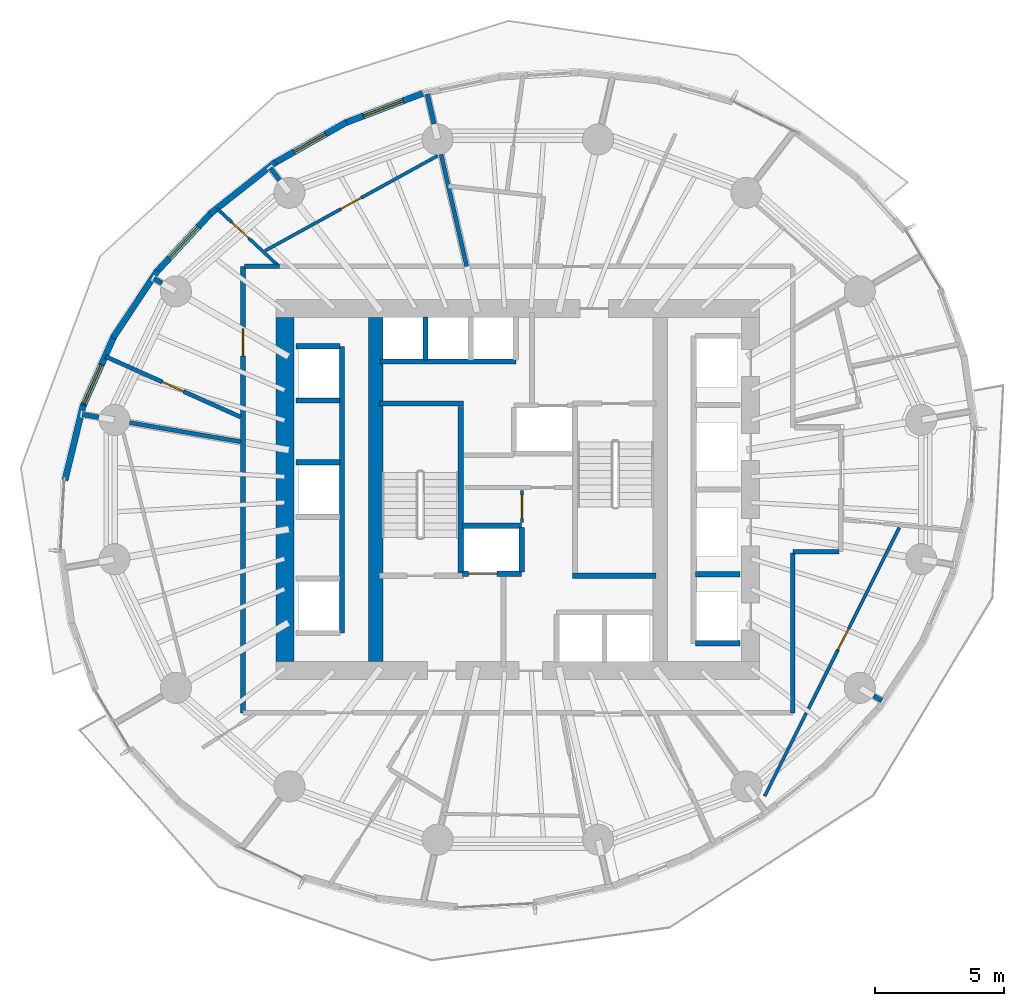
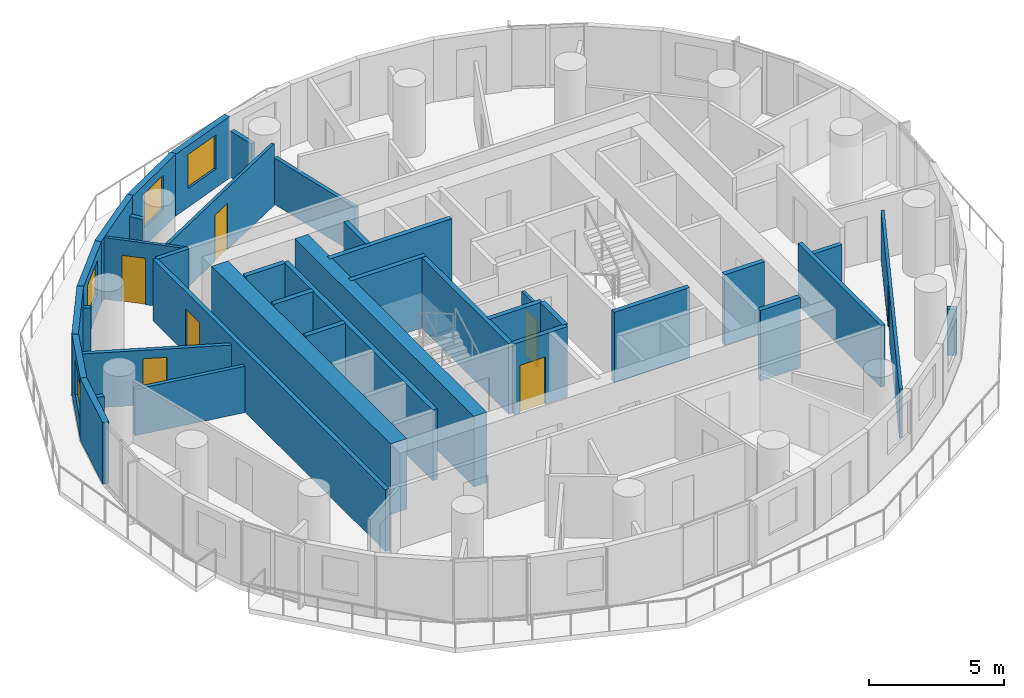
# One storey, part 8 of 15: 39 walls, 7 doors, 4 windows, 11 openings.
"""IFC4 building model written with IfcOpenShell, lengths in metres."""

from ifc_helpers import new_model, si_unit, direction, frame, frame_2d, origin, place, context, subcontext, project, spatial, rectangle, extrude, material, layer, layer_set, type_object, element, fill, save


model = new_model("IFC4")

# Units and contexts
model_context = context("Model", 3, precision=1e-05, world=origin(), true_north=direction((0.0, 1.0)))
body_context = subcontext(model_context, "Body", "Model", "MODEL_VIEW")
ifc_project = project(units=[si_unit("LENGTHUNIT", "METRE"), si_unit("AREAUNIT", "SQUARE_METRE"), si_unit("VOLUMEUNIT", "CUBIC_METRE"), si_unit("PLANEANGLEUNIT", "RADIAN"), si_unit("MASSUNIT", "GRAM", prefix="KILO")], contexts=[model_context])

# Site, building, storey
site_placement = place(None, origin())
site = spatial("IfcSite", under=ifc_project, at=site_placement, CompositionType="ELEMENT")
building_placement = place(site_placement, origin())
building = spatial("IfcBuilding", under=site, at=building_placement, Name="Veldorim Arch Residences", CompositionType="ELEMENT")
storey_placement = place(building_placement, frame((0.0, 0.0, 109.280029296875)))
storey = spatial("IfcBuildingStorey", under=building, at=storey_placement, Name="L32", CompositionType="ELEMENT", Elevation=109.280029296875)

# Wall, opening, door
ifc_material_1 = material(Name="Acoustic Gypsum Board", Category="gypsum")
ifc_layer_1 = layer(ifc_material_1, 0.125, Name="Acoustic Stud Room Partition Wall 125")
ifc_layer_set_1 = layer_set([ifc_layer_1], Name="Acoustic Gypsum Board")
wall_type_1 = type_object("IfcWallType", Name="Acoustic Stud Room Partition Wall 125", PredefinedType="PARTITIONING", material=ifc_layer_set_1)
wall_1_placement = place(storey_placement, frame((32.159912109375, 22.719970703125, 0.0), z_axis=(0.0, 0.0, 1.0), x_axis=(0.0, 1.0, 0.0)))
wall_1 = element("IfcWall", 1, at=wall_1_placement, inside=storey, type_object=wall_type_1, Name="L32 interior wall WL-CA-L32-2", PredefinedType="PARTITIONING", context=body_context, shape_type="SweptSolid", body=[
    extrude(rectangle(XDim=1.25, YDim=0.125, at=frame_2d((0.625, 0.0))), origin(), (0.0, 0.0, 1.0), 2.794921875),
])
opening_1_placement = place(wall_1_placement, frame((0.169921875, 0.0, 0.0)))
opening_1 = element("IfcOpeningElement", 2, at=opening_1_placement, cuts=wall_1, Name="Opening DR-SVC", PredefinedType="OPENING", context=body_context, shape_type="SweptSolid", body=[
    extrude(rectangle(XDim=0.89990234375, YDim=2.10009765625, at=frame_2d((0.449951171875, 1.050048828125))), frame((0.0, 0.072509765625, 0.0), z_axis=(0.0, -1.0, 0.0), x_axis=(1.0, 0.0, 0.0)), (0.0, 0.0, 1.0), 0.14501953125),
])
ifc_material_2 = material(Name="Fire-Rated Steel", Category="steel")
door_type_1 = type_object("IfcDoorType", Name="Riser, Shelter & Plant Room Rated Steel Door 900x2100", OperationType="SINGLE_SWING_LEFT", PredefinedType="DOOR", material=ifc_material_2)
door_1_placement = place(opening_1_placement, origin())
door_1 = element("IfcDoor", 3, at=door_1_placement, inside=storey, type_object=door_type_1, Name="L32 interior door DR-L32-CA2", OperationType="SINGLE_SWING_RIGHT", OverallHeight=2.10009765625, OverallWidth=0.89990234375, PredefinedType="DOOR", context=body_context, shape_type="SweptSolid", body=[
    extrude(rectangle(XDim=0.89990234375, YDim=2.10009765625, at=frame_2d((0.449951171875, 1.050048828125))), frame((0.0, 0.02490234375, 0.0), z_axis=(0.0, -1.0, 0.0), x_axis=(1.0, 0.0, 0.0)), (0.0, 0.0, 1.0), 0.050048828125),
])
fill(opening_1, door_1)

wall_2_placement = place(storey_placement, frame((46.745849609375, 22.527587890625, 0.0), z_axis=(0.0, 0.0, 1.0), x_axis=(-0.448357094434, -0.893854527242, 0.0)))
wall_2 = element("IfcWall", 4, at=wall_2_placement, inside=storey, type_object=wall_type_1, Name="L32 interior wall WL-RES-L32-021", PredefinedType="PARTITIONING", context=body_context, shape_type="SweptSolid", body=[
    extrude(rectangle(XDim=11.61083984375, YDim=0.125, at=frame_2d((5.805419921875, 0.0))), origin(), (0.0, 0.0, 1.0), 2.243408203125),
])
opening_2_placement = place(wall_2_placement, frame((4.37548828125, 0.0, 0.0)))
opening_2 = element("IfcOpeningElement", 5, at=opening_2_placement, cuts=wall_2, Name="Opening DR-INT", PredefinedType="OPENING", context=body_context, shape_type="SweptSolid", body=[
    extrude(rectangle(XDim=0.89990234375, YDim=2.10009765625, at=frame_2d((0.449951171875, 1.050048828125))), frame((0.0, 0.072509765625, 0.0), z_axis=(0.0, -1.0, 0.0), x_axis=(1.0, 0.0, 0.0)), (0.0, 0.0, 1.0), 0.14501953125),
])
ifc_material_3 = material(Name="Engineered Timber", Category="wood")
door_type_2 = type_object("IfcDoorType", Name="Apartment Internal Room Timber Door 900x2100", OperationType="SINGLE_SWING_LEFT", PredefinedType="DOOR", material=ifc_material_3)
door_2_placement = place(opening_2_placement, origin())
door_2 = element("IfcDoor", 6, at=door_2_placement, inside=storey, type_object=door_type_2, Name="L32 interior door DR-RES-L32-008", OperationType="SINGLE_SWING_RIGHT", OverallHeight=2.10009765625, OverallWidth=0.89990234375, PredefinedType="DOOR", context=body_context, shape_type="SweptSolid", body=[
    extrude(rectangle(XDim=0.89990234375, YDim=2.10009765625, at=frame_2d((0.449951171875, 1.050048828125))), frame((0.0, 0.02490234375, 0.0), z_axis=(0.0, -1.0, 0.0), x_axis=(1.0, 0.0, 0.0)), (0.0, 0.0, 1.0), 0.050048828125),
])
fill(opening_2, door_2)

wall_3_placement = place(storey_placement, frame((20.372802734375, 34.86328125, 0.0), z_axis=(0.0, 0.0, 1.0), x_axis=(0.730692833249, -0.682706366924, 0.0)))
wall_3 = element("IfcWall", 7, at=wall_3_placement, inside=storey, type_object=wall_type_1, Name="L32 interior wall WL-RES-L32-029", PredefinedType="PARTITIONING", context=body_context, shape_type="SweptSolid", body=[
    extrude(rectangle(XDim=3.271484375, YDim=0.125, at=frame_2d((1.6357421875, 0.0))), origin(), (0.0, 0.0, 1.0), 2.794921875),
])
opening_3_placement = place(wall_3_placement, frame((0.781494140625, 0.0, 0.0)))
opening_3 = element("IfcOpeningElement", 8, at=opening_3_placement, cuts=wall_3, Name="Opening DR-INT", PredefinedType="OPENING", context=body_context, shape_type="SweptSolid", body=[
    extrude(rectangle(XDim=0.89990234375, YDim=2.10009765625, at=frame_2d((0.449951171875, 1.050048828125))), frame((0.0, 0.072509765625, 0.0), z_axis=(0.0, -1.0, 0.0), x_axis=(1.0, 0.0, 0.0)), (0.0, 0.0, 1.0), 0.14501953125),
])
door_3_placement = place(opening_3_placement, origin())
door_3 = element("IfcDoor", 9, at=door_3_placement, inside=storey, type_object=door_type_2, Name="L32 interior door DR-RES-L32-017", OperationType="SINGLE_SWING_LEFT", OverallHeight=2.10009765625, OverallWidth=0.89990234375, PredefinedType="DOOR", context=body_context, shape_type="SweptSolid", body=[
    extrude(rectangle(XDim=0.89990234375, YDim=2.10009765625, at=frame_2d((0.449951171875, 1.050048828125))), frame((0.0, 0.02490234375, 0.0), z_axis=(0.0, -1.0, 0.0), x_axis=(1.0, 0.0, 0.0)), (0.0, 0.0, 1.0), 0.050048828125),
])
fill(opening_3, door_3)

wall_4_placement = place(storey_placement, frame((28.8935546875, 36.90673828125, 0.0), z_axis=(0.0, 0.0, 1.0), x_axis=(-0.875900786778, -0.482491255591, 0.0)))
wall_4 = element("IfcWall", 10, at=wall_4_placement, inside=storey, type_object=wall_type_1, Name="L32 interior wall WL-RES-L32-031", PredefinedType="PARTITIONING", context=body_context, shape_type="SweptSolid", body=[
    extrude(rectangle(XDim=7.61083984375, YDim=0.125, at=frame_2d((3.805419921875, 0.0))), origin(), (0.0, 0.0, 1.0), 2.794921875),
])
opening_4_placement = place(wall_4_placement, frame((3.355224609375, 0.0, 0.0)))
opening_4 = element("IfcOpeningElement", 11, at=opening_4_placement, cuts=wall_4, Name="Opening DR-INT", PredefinedType="OPENING", context=body_context, shape_type="SweptSolid", body=[
    extrude(rectangle(XDim=0.89990234375, YDim=2.10009765625, at=frame_2d((0.449951171875, 1.050048828125))), frame((0.0, 0.072509765625, 0.0), z_axis=(0.0, -1.0, 0.0), x_axis=(1.0, 0.0, 0.0)), (0.0, 0.0, 1.0), 0.14501953125),
])
door_4_placement = place(opening_4_placement, origin())
door_4 = element("IfcDoor", 12, at=door_4_placement, inside=storey, type_object=door_type_2, Name="L32 interior door DR-RES-L32-018", OperationType="SINGLE_SWING_RIGHT", OverallHeight=2.10009765625, OverallWidth=0.89990234375, PredefinedType="DOOR", context=body_context, shape_type="SweptSolid", body=[
    extrude(rectangle(XDim=0.89990234375, YDim=2.10009765625, at=frame_2d((0.449951171875, 1.050048828125))), frame((0.0, 0.02490234375, 0.0), z_axis=(0.0, -1.0, 0.0), x_axis=(1.0, 0.0, 0.0)), (0.0, 0.0, 1.0), 0.050048828125),
])
fill(opening_4, door_4)

# Walls
ifc_material_4 = material(Name="Lightweight Masonry Block & Gypsum", Category="masonry")
ifc_layer_2 = layer(ifc_material_4, 0.179931640625, Name="Compartment & Corridor Fire-Rated Party Wall 180")
ifc_layer_set_2 = layer_set([ifc_layer_2], Name="Lightweight Masonry Block & Gypsum")
wall_type_2 = type_object("IfcWallType", Name="Compartment & Corridor Fire-Rated Party Wall 180", PredefinedType="PARTITIONING", material=ifc_layer_set_2)
wall_5_placement = place(storey_placement, frame((28.759521484375, 38.13916015625, 0.0), z_axis=(0.0, 0.0, 1.0), x_axis=(-0.223327310752, 0.974743511018, 0.0)))
element("IfcWall", 13, at=wall_5_placement, inside=storey, type_object=wall_type_2, Name="L32 interior wall WL-PIER-L32-05", PredefinedType="PARTITIONING", context=body_context, shape_type="SweptSolid", body=[
    extrude(rectangle(XDim=1.187255859375, YDim=0.179931640625, at=frame_2d((0.59375, 0.0))), origin(), (0.0, 0.0, 1.0), 2.100341796875),
])
wall_6_placement = place(storey_placement, frame((22.7880859375, 35.965576171875, 0.0), z_axis=(0.0, 0.0, 1.0), x_axis=(-0.609790512648, 0.792562635181, 0.0)))
element("IfcWall", 14, at=wall_6_placement, inside=storey, type_object=wall_type_2, Name="L32 interior wall WL-PIER-L32-06", PredefinedType="PARTITIONING", context=body_context, shape_type="SweptSolid", body=[
    extrude(rectangle(XDim=0.591796875, YDim=0.179931640625, at=frame_2d((0.2958984375, 0.0))), origin(), (0.0, 0.0, 1.0), 2.100341796875),
])
wall_7_placement = place(storey_placement, frame((18.243408203125, 31.977783203125, 0.0), z_axis=(0.0, 0.0, 1.0), x_axis=(-0.864891917132, 0.501958137377, 0.0)))
element("IfcWall", 15, at=wall_7_placement, inside=storey, type_object=wall_type_2, Name="L32 interior wall WL-PIER-L32-07", PredefinedType="PARTITIONING", context=body_context, shape_type="SweptSolid", body=[
    extrude(rectangle(XDim=0.365234375, YDim=0.179931640625, at=frame_2d((0.1826171875, 0.0))), origin(), (0.0, 0.0, 1.0), 2.100341796875),
])
wall_8_placement = place(storey_placement, frame((15.79443359375, 26.797607421875, 0.0), z_axis=(0.0, 0.0, 1.0), x_axis=(-0.985389793052, 0.170314285219, 0.0)))
element("IfcWall", 16, at=wall_8_placement, inside=storey, type_object=wall_type_2, Name="L32 interior wall WL-PIER-L32-08", PredefinedType="PARTITIONING", context=body_context, shape_type="SweptSolid", body=[
    extrude(rectangle(XDim=0.64208984375, YDim=0.179931640625, at=frame_2d((0.321044921875, 0.0))), origin(), (0.0, 0.0, 1.0), 2.100341796875),
])
wall_9_placement = place(storey_placement, frame((45.756591796875, 16.022216796875, 0.0), z_axis=(0.0, 0.0, 1.0), x_axis=(0.864891917132, -0.501958137377, 0.0)))
element("IfcWall", 17, at=wall_9_placement, inside=storey, type_object=wall_type_2, Name="L32 interior wall WL-PIER-L32-15", PredefinedType="PARTITIONING", context=body_context, shape_type="SweptSolid", body=[
    extrude(rectangle(XDim=0.365234375, YDim=0.179931640625, at=frame_2d((0.1826171875, 0.0))), origin(), (0.0, 0.0, 1.0), 2.100341796875),
])
wall_10_placement = place(storey_placement, frame((44.419921875, 21.60009765625, 0.0), z_axis=(0.0, 0.0, 1.0), x_axis=(-1.0, 0.0, 0.0)))
element("IfcWall", 18, at=wall_10_placement, inside=storey, type_object=wall_type_2, Name="L32 interior wall WL-RES-L32-005", PredefinedType="PARTITIONING", context=body_context, shape_type="SweptSolid", body=[
    extrude(rectangle(XDim=1.7900390625, YDim=0.179931640625, at=frame_2d((0.89501953125, 0.0))), origin(), (0.0, 0.0, 1.0), 2.100341796875),
])
wall_11_placement = place(storey_placement, frame((42.6298828125, 21.5400390625, 0.0), z_axis=(0.0, 0.0, 1.0), x_axis=(0.0, -1.0, 0.0)))
element("IfcWall", 19, at=wall_11_placement, inside=storey, type_object=wall_type_2, Name="L32 interior wall WL-RES-L32-006", PredefinedType="PARTITIONING", context=body_context, shape_type="SweptSolid", body=[
    extrude(rectangle(XDim=6.169921875, YDim=0.179931640625, at=frame_2d((3.0849609375, 0.0))), origin(), (0.0, 0.0, 1.0), 2.794921875),
])

# Wall, opening, door
wall_12_placement = place(storey_placement, frame((21.3701171875, 15.3701171875, 0.0), z_axis=(0.0, 0.0, 1.0), x_axis=(0.0, 1.0, 0.0)))
wall_12 = element("IfcWall", 20, at=wall_12_placement, inside=storey, type_object=wall_type_2, Name="L32 interior wall WL-RES-L32-008", PredefinedType="PARTITIONING", context=body_context, shape_type="SweptSolid", body=[
    extrude(rectangle(XDim=17.259765625, YDim=0.179931640625, at=frame_2d((8.6298828125, 0.0))), origin(), (0.0, 0.0, 1.0), 2.794921875),
])
opening_5_placement = place(wall_12_placement, frame((13.794189453125, 0.0, 0.0)))
opening_5 = element("IfcOpeningElement", 21, at=opening_5_placement, cuts=wall_12, Name="Opening DR-FLT2", PredefinedType="OPENING", context=body_context, shape_type="SweptSolid", body=[
    extrude(rectangle(XDim=1.050048828125, YDim=2.0, at=frame_2d((0.52490234375, 1.0))), frame((0.0, 0.099853515625, 0.0), z_axis=(0.0, -1.0, 0.0), x_axis=(1.0, 0.0, 0.0)), (0.0, 0.0, 1.0), 0.199951171875),
])
ifc_material_5 = material(Name="Fire-Rated Timber", Category="wood")
door_type_3 = type_object("IfcDoorType", Name="Apartment Entrance Low-Soffit Fire Door 1050x2000", OperationType="SINGLE_SWING_LEFT", PredefinedType="DOOR", material=ifc_material_5)
door_5_placement = place(opening_5_placement, origin())
door_5 = element("IfcDoor", 22, at=door_5_placement, inside=storey, type_object=door_type_3, Name="L32 interior door DR-RES-L32-015", OperationType="SINGLE_SWING_LEFT", OverallHeight=2.0, OverallWidth=1.050048828125, PredefinedType="DOOR", context=body_context, shape_type="SweptSolid", body=[
    extrude(rectangle(XDim=1.050048828125, YDim=2.0, at=frame_2d((0.52490234375, 1.0))), frame((0.0, 0.02490234375, 0.0), z_axis=(0.0, -1.0, 0.0), x_axis=(1.0, 0.0, 0.0)), (0.0, 0.0, 1.0), 0.050048828125),
])
fill(opening_5, door_5)

# Walls
wall_13_placement = place(storey_placement, frame((21.429931640625, 32.6298828125, 0.0), z_axis=(0.0, 0.0, 1.0), x_axis=(1.0, 0.0, 0.0)))
element("IfcWall", 23, at=wall_13_placement, inside=storey, type_object=wall_type_2, Name="L32 interior wall WL-RES-L32-009", PredefinedType="PARTITIONING", context=body_context, shape_type="SweptSolid", body=[
    extrude(rectangle(XDim=1.353271484375, YDim=0.179931640625, at=frame_2d((0.6767578125, 0.0))), origin(), (0.0, 0.0, 1.0), 2.794921875),
])
ifc_material_6 = material(Name="Concrete C50/60", Category="concrete")
ifc_layer_3 = layer(ifc_material_6, 0.199951171875, Name="Core Stair & Lift Shaft Enclosure Wall 200")
ifc_layer_set_3 = layer_set([ifc_layer_3], Name="Concrete C50/60")
wall_type_3 = type_object("IfcWallType", Name="Core Stair & Lift Shaft Enclosure Wall 200", PredefinedType="SHEAR", material=ifc_layer_set_3)
wall_14_placement = place(storey_placement, frame((29.7900390625, 20.780029296875, 0.0), z_axis=(0.0, 0.0, 1.0), x_axis=(0.0, 1.0, 0.0)))
element("IfcWall", 24, at=wall_14_placement, inside=storey, type_object=wall_type_3, Name="L32 shaft wall WL-SHF-L32-ST1-E", PredefinedType="SHEAR", context=body_context, shape_type="SweptSolid", body=[
    extrude(rectangle(XDim=6.43994140625, YDim=0.199951171875, at=frame_2d((3.219970703125, 0.0))), origin(), (0.0, 0.0, 1.0), 3.199951171875),
])
for number, where, z_axis, x_axis, name in (
    (25, (26.64990234375, 27.330078125, 0.0), (0.0, 0.0, 1.0), (1.0, 0.0, 0.0), "L32 shaft wall WL-SHF-L32-ST1-N"),
    (26, (34.110107421875, 20.669921875, 0.0), (0.0, 0.0, 1.0), (1.0, 0.0, 0.0), "L32 shaft wall WL-SHF-L32-ST2-S"),
):
    element("IfcWall", number, at=place(storey_placement, frame(where, z_axis=z_axis, x_axis=x_axis)), inside=storey, type_object=wall_type_3, Name=name, PredefinedType="SHEAR", context=body_context, shape_type="SweptSolid", body=[
        extrude(rectangle(XDim=3.239990234375, YDim=0.199951171875, at=frame_2d((1.6201171875, 0.0))), origin(), (0.0, 0.0, 1.0), 3.199951171875),
    ])

# Wall, opening, door
wall_15_placement = place(storey_placement, frame((29.85009765625, 20.75, 0.0), z_axis=(0.0, 0.0, 1.0), x_axis=(1.0, 0.0, 0.0)))
wall_15 = element("IfcWall", 27, at=wall_15_placement, inside=storey, type_object=wall_type_3, Name="L32 shaft wall WL-FL01-L32-S", PredefinedType="SHEAR", context=body_context, shape_type="SweptSolid", body=[
    extrude(rectangle(XDim=2.2998046875, YDim=0.199951171875, at=frame_2d((1.14990234375, 0.0))), origin(), (0.0, 0.0, 1.0), 3.199951171875),
])
opening_6_placement = place(wall_15_placement, frame((0.25, 0.0, 0.0)))
opening_6 = element("IfcOpeningElement", 28, at=opening_6_placement, cuts=wall_15, Name="Opening LD-FF", PredefinedType="OPENING", context=body_context, shape_type="SweptSolid", body=[
    extrude(rectangle(XDim=1.10009765625, YDim=2.14990234375, at=frame_2d((0.550048828125, 1.074951171875))), frame((0.0, 0.10986328125, 0.0), z_axis=(0.0, -1.0, 0.0), x_axis=(1.0, 0.0, 0.0)), (0.0, 0.0, 1.0), 0.219970703125),
])
ifc_material_7 = material(Name="Stainless Steel", Category="steel")
door_type_4 = type_object("IfcDoorType", Name="Firefighting Lift Bi-Parting Sliding Landing Door 1100x2150", OperationType="DOUBLE_DOOR_SLIDING", PredefinedType="DOOR", material=ifc_material_7)
door_6_placement = place(opening_6_placement, origin())
door_6 = element("IfcDoor", 29, at=door_6_placement, inside=storey, type_object=door_type_4, Name="L32 lift landing door LD-L32-FL01", OperationType="DOUBLE_DOOR_SLIDING", OverallHeight=2.14990234375, OverallWidth=1.10009765625, PredefinedType="DOOR", context=body_context, shape_type="SweptSolid", body=[
    extrude(rectangle(XDim=1.10009765625, YDim=2.14990234375, at=frame_2d((0.550048828125, 1.074951171875))), frame((0.0, 0.02490234375, 0.0), z_axis=(0.0, -1.0, 0.0), x_axis=(1.0, 0.0, 0.0)), (0.0, 0.0, 1.0), 0.050048828125),
])
fill(opening_6, door_6)

# Walls
wall_16_placement = place(storey_placement, frame((29.85009765625, 22.60009765625, 0.0), z_axis=(0.0, 0.0, 1.0), x_axis=(1.0, 0.0, 0.0)))
element("IfcWall", 30, at=wall_16_placement, inside=storey, type_object=wall_type_3, Name="L32 shaft wall WL-FL01-L32-N", PredefinedType="SHEAR", context=body_context, shape_type="SweptSolid", body=[
    extrude(rectangle(XDim=2.2998046875, YDim=0.199951171875, at=frame_2d((1.14990234375, 0.0))), origin(), (0.0, 0.0, 1.0), 3.199951171875),
])
for number, where, z_axis, x_axis, name in (
    (31, (32.14990234375, 20.820068359375, 0.0), (0.0, 0.0, 1.0), (0.0, 1.0, 0.0), "L32 shaft wall WL-FL01-L32-E"),
    (32, (38.8701171875, 18.06005859375, 0.0), (0.0, 0.0, 1.0), (1.0, 0.0, 0.0), "L32 shaft wall WL-B1-L32-S"),
    (33, (38.8701171875, 20.72509765625, 0.0), (0.0, 0.0, 1.0), (1.0, 0.0, 0.0), "L32 shaft wall WL-B1-L32-D1"),
):
    element("IfcWall", number, at=place(storey_placement, frame(where, z_axis=z_axis, x_axis=x_axis)), inside=storey, type_object=wall_type_3, Name=name, PredefinedType="SHEAR", context=body_context, shape_type="SweptSolid", body=[
        extrude(rectangle(XDim=1.7099609375, YDim=0.199951171875, at=frame_2d((0.85498046875, 0.0))), origin(), (0.0, 0.0, 1.0), 3.199951171875),
    ])
wall_17_placement = place(storey_placement, frame((25.199951171875, 18.4599609375, 0.0), z_axis=(0.0, 0.0, 1.0), x_axis=(0.0, 1.0, 0.0)))
element("IfcWall", 34, at=wall_17_placement, inside=storey, type_object=wall_type_3, Name="L32 shaft wall WL-B2-L32-E", PredefinedType="SHEAR", context=body_context, shape_type="SweptSolid", body=[
    extrude(rectangle(XDim=11.080078125, YDim=0.199951171875, at=frame_2d((5.5400390625, 0.0))), origin(), (0.0, 0.0, 1.0), 3.199951171875),
])
for number, where, z_axis, x_axis, name in (
    (35, (23.419921875, 29.5400390625, 0.0), (0.0, 0.0, 1.0), (1.0, 0.0, 0.0), "L32 shaft wall WL-B2-L32-N"),
    (36, (23.419921875, 25.06005859375, 0.0), (0.0, 0.0, 1.0), (1.0, 0.0, 0.0), "L32 shaft wall WL-B2-L32-D2A"),
    (37, (23.419921875, 27.43994140625, 0.0), (0.0, 0.0, 1.0), (1.0, 0.0, 0.0), "L32 shaft wall WL-B2-L32-D2B"),
):
    element("IfcWall", number, at=place(storey_placement, frame(where, z_axis=z_axis, x_axis=x_axis)), inside=storey, type_object=wall_type_3, Name=name, PredefinedType="SHEAR", context=body_context, shape_type="SweptSolid", body=[
        extrude(rectangle(XDim=1.7099609375, YDim=0.199951171875, at=frame_2d((0.85498046875, 0.0))), origin(), (0.0, 0.0, 1.0), 3.199951171875),
    ])
wall_18_placement = place(storey_placement, frame((26.679931640625, 28.949951171875, 0.0), z_axis=(0.0, 0.0, 1.0), x_axis=(1.0, 0.0, 0.0)))
element("IfcWall", 38, at=wall_18_placement, inside=storey, type_object=wall_type_3, Name="L32 shaft wall WL-B3-L32-S", PredefinedType="SHEAR", context=body_context, shape_type="SweptSolid", body=[
    extrude(rectangle(XDim=5.239990234375, YDim=0.199951171875, at=frame_2d((2.6201171875, 0.0))), origin(), (0.0, 0.0, 1.0), 3.199951171875),
])
wall_19_placement = place(storey_placement, frame((28.425048828125, 29.02001953125, 0.0), z_axis=(0.0, 0.0, 1.0), x_axis=(0.0, 1.0, 0.0)))
element("IfcWall", 39, at=wall_19_placement, inside=storey, type_object=wall_type_3, Name="L32 shaft wall WL-B3-L32-D1", PredefinedType="SHEAR", context=body_context, shape_type="SweptSolid", body=[
    extrude(rectangle(XDim=1.659912109375, YDim=0.199951171875, at=frame_2d((0.830078125, 0.0))), origin(), (0.0, 0.0, 1.0), 3.199951171875),
])
ifc_material_8 = material(Name="Concrete C60/75", Category="concrete")
ifc_layer_4 = layer(ifc_material_8, 0.56005859375, Name="Internal Core Shear Web Wall 560")
ifc_layer_set_4 = layer_set([ifc_layer_4], Name="Concrete C60/75")
wall_type_4 = type_object("IfcWallType", Name="Internal Core Shear Web Wall 560", PredefinedType="SHEAR", material=ifc_layer_set_4)
wall_20_placement = place(storey_placement, frame((26.5, 17.35009765625, 0.0), z_axis=(0.0, 0.0, 1.0), x_axis=(0.0, 1.0, 0.0)))
element("IfcWall", 40, at=wall_20_placement, inside=storey, type_object=wall_type_4, Name="L32 core west internal shear web", PredefinedType="SHEAR", context=body_context, shape_type="SweptSolid", body=[
    extrude(rectangle(XDim=13.2998046875, YDim=0.56005859375, at=frame_2d((6.64990234375, 0.0))), origin(), (0.0, 0.0, 1.0), 3.199951171875),
])
ifc_material_9 = material(Name="Concrete C60/75", Category="concrete")
ifc_layer_5 = layer(ifc_material_9, 0.699951171875, Name="Mid-Lower Central Core Shear Wall 700")
ifc_layer_set_5 = layer_set([ifc_layer_5], Name="Concrete C60/75")
wall_type_5 = type_object("IfcWallType", Name="Mid-Lower Central Core Shear Wall 700", PredefinedType="SHEAR", material=ifc_layer_set_5)
wall_21_placement = place(storey_placement, frame((23.0, 17.35009765625, 0.0), z_axis=(0.0, 0.0, 1.0), x_axis=(0.0, 1.0, 0.0)))
element("IfcWall", 41, at=wall_21_placement, inside=storey, type_object=wall_type_5, Name="L32 central core west shear wall", PredefinedType="SHEAR", context=body_context, shape_type="SweptSolid", body=[
    extrude(rectangle(XDim=13.2998046875, YDim=0.699951171875, at=frame_2d((6.64990234375, 0.0))), origin(), (0.0, 0.0, 1.0), 3.199951171875),
])

# Wall, opening, window
ifc_material_10 = material(Name="Precast concrete C40/50", Category="concrete")
ifc_layer_6 = layer(ifc_material_10, 0.25, Name="Tower Terracotta Spandrel & Pier Wall 250")
ifc_layer_set_6 = layer_set([ifc_layer_6], Name="Precast concrete C40/50")
wall_type_6 = type_object("IfcWallType", Name="Tower Terracotta Spandrel & Pier Wall 250", PredefinedType="SOLIDWALL", material=ifc_layer_set_6)
wall_22_placement = place(storey_placement, frame((25.275146484375, 38.16357421875, 0.0), z_axis=(0.0, 0.0, 1.0), x_axis=(0.934481801939, 0.3560109013, 0.0)))
wall_22 = element("IfcWall", 42, at=wall_22_placement, inside=storey, type_object=wall_type_6, Name="L32 terracotta facade wall 09", PredefinedType="SOLIDWALL", context=body_context, shape_type="SweptSolid", body=[
    extrude(rectangle(XDim=3.259521484375, YDim=0.25, at=frame_2d((1.6298828125, 0.0))), origin(), (0.0, 0.0, 1.0), 2.800048828125),
])
opening_7_placement = place(wall_22_placement, frame((0.804931640625, 0.0, 0.85009765625)))
opening_7 = element("IfcOpeningElement", 43, at=opening_7_placement, cuts=wall_22, Name="Opening WN-03", PredefinedType="OPENING", context=body_context, shape_type="SweptSolid", body=[
    extrude(rectangle(XDim=1.64990234375, YDim=1.550048828125, at=frame_2d((0.824951171875, 0.77490234375))), frame((0.0, 0.135009765625, 0.0), z_axis=(0.0, -1.0, 0.0), x_axis=(1.0, 0.0, 0.0)), (0.0, 0.0, 1.0), 0.27001953125),
])
ifc_material_11 = material(Name="Laminated Low-E Glass", Category="glass")
window_type_1 = type_object("IfcWindowType", Name="Residential Wide Window 1650x1550", PartitioningType="SINGLE_PANEL", PredefinedType="WINDOW", material=ifc_material_11)
window_1_placement = place(opening_7_placement, origin())
window_1 = element("IfcWindow", 44, at=window_1_placement, inside=storey, type_object=window_type_1, Name="L32 solar-control facade window 09", OverallHeight=1.550048828125, OverallWidth=1.64990234375, PartitioningType="SINGLE_PANEL", PredefinedType="WINDOW", context=body_context, shape_type="SweptSolid", body=[
    extrude(rectangle(XDim=1.64990234375, YDim=1.550048828125, at=frame_2d((0.824951171875, 0.77490234375))), frame((0.0, 0.030029296875, 0.0), z_axis=(0.0, -1.0, 0.0), x_axis=(1.0, 0.0, 0.0)), (0.0, 0.0, 1.0), 0.06005859375),
])
fill(opening_7, window_1)

wall_23_placement = place(storey_placement, frame((22.537841796875, 36.6025390625, 0.0), z_axis=(0.0, 0.0, 1.0), x_axis=(0.869984700924, 0.493078715986, 0.0)))
wall_23 = element("IfcWall", 45, at=wall_23_placement, inside=storey, type_object=wall_type_6, Name="L32 terracotta facade wall 10", PredefinedType="SOLIDWALL", context=body_context, shape_type="SweptSolid", body=[
    extrude(rectangle(XDim=3.259521484375, YDim=0.25, at=frame_2d((1.6298828125, 0.0))), origin(), (0.0, 0.0, 1.0), 2.800048828125),
])
opening_8_placement = place(wall_23_placement, frame((0.929931640625, 0.0, 0.85009765625)))
opening_8 = element("IfcOpeningElement", 46, at=opening_8_placement, cuts=wall_23, Name="Opening WN-02", PredefinedType="OPENING", context=body_context, shape_type="SweptSolid", body=[
    extrude(rectangle(XDim=1.39990234375, YDim=1.550048828125, at=frame_2d((0.699951171875, 0.77490234375))), frame((0.0, 0.135009765625, 0.0), z_axis=(0.0, -1.0, 0.0), x_axis=(1.0, 0.0, 0.0)), (0.0, 0.0, 1.0), 0.27001953125),
])
ifc_material_12 = material(Name="Laminated Low-E Glass", Category="glass")
window_type_2 = type_object("IfcWindowType", Name="Residential Casement Window 1400x1550", PartitioningType="SINGLE_PANEL", PredefinedType="WINDOW", material=ifc_material_12)
window_2_placement = place(opening_8_placement, origin())
window_2 = element("IfcWindow", 47, at=window_2_placement, inside=storey, type_object=window_type_2, Name="L32 solar-control facade window 10", OverallHeight=1.550048828125, OverallWidth=1.39990234375, PartitioningType="SINGLE_PANEL", PredefinedType="WINDOW", context=body_context, shape_type="SweptSolid", body=[
    extrude(rectangle(XDim=1.39990234375, YDim=1.550048828125, at=frame_2d((0.699951171875, 0.77490234375))), frame((0.0, 0.030029296875, 0.0), z_axis=(0.0, -1.0, 0.0), x_axis=(1.0, 0.0, 0.0)), (0.0, 0.0, 1.0), 0.06005859375),
])
fill(opening_8, window_2)

# Wall
wall_24_placement = place(storey_placement, frame((20.088134765625, 34.65771484375, 0.0), z_axis=(0.0, 0.0, 1.0), x_axis=(0.784871179145, 0.619658964389, 0.0)))
element("IfcWall", 48, at=wall_24_placement, inside=storey, type_object=wall_type_6, Name="L32 terracotta facade wall 11", PredefinedType="SOLIDWALL", context=body_context, shape_type="SweptSolid", body=[
    extrude(rectangle(XDim=3.236328125, YDim=0.25, at=frame_2d((1.6181640625, 0.0))), origin(), (0.0, 0.0, 1.0), 2.800048828125),
])

# Wall, opening, window
wall_25_placement = place(storey_placement, frame((18.001220703125, 32.388427734375, 0.0), z_axis=(0.0, 0.0, 1.0), x_axis=(0.678956449941, 0.734178547142, 0.0)))
wall_25 = element("IfcWall", 49, at=wall_25_placement, inside=storey, type_object=wall_type_6, Name="L32 terracotta facade wall 12", PredefinedType="SOLIDWALL", context=body_context, shape_type="SweptSolid", body=[
    extrude(rectangle(XDim=3.19189453125, YDim=0.25, at=frame_2d((1.595947265625, 0.0))), origin(), (0.0, 0.0, 1.0), 2.800048828125),
])
opening_9_placement = place(wall_25_placement, frame((0.77099609375, 0.0, 0.85009765625)))
opening_9 = element("IfcOpeningElement", 50, at=opening_9_placement, cuts=wall_25, Name="Opening WN-03", PredefinedType="OPENING", context=body_context, shape_type="SweptSolid", body=[
    extrude(rectangle(XDim=1.64990234375, YDim=1.550048828125, at=frame_2d((0.824951171875, 0.77490234375))), frame((0.0, 0.135009765625, 0.0), z_axis=(0.0, -1.0, 0.0), x_axis=(1.0, 0.0, 0.0)), (0.0, 0.0, 1.0), 0.27001953125),
])
window_3_placement = place(opening_9_placement, origin())
window_3 = element("IfcWindow", 51, at=window_3_placement, inside=storey, type_object=window_type_1, Name="L32 solar-control facade window 12", OverallHeight=1.550048828125, OverallWidth=1.64990234375, PartitioningType="SINGLE_PANEL", PredefinedType="WINDOW", context=body_context, shape_type="SweptSolid", body=[
    extrude(rectangle(XDim=1.64990234375, YDim=1.550048828125, at=frame_2d((0.824951171875, 0.77490234375))), frame((0.0, 0.030029296875, 0.0), z_axis=(0.0, -1.0, 0.0), x_axis=(1.0, 0.0, 0.0)), (0.0, 0.0, 1.0), 0.06005859375),
])
fill(opening_9, window_3)

# Wall
wall_26_placement = place(storey_placement, frame((16.340576171875, 29.864013671875, 0.0), z_axis=(0.0, 0.0, 1.0), x_axis=(0.552034347266, 0.833821371421, 0.0)))
element("IfcWall", 52, at=wall_26_placement, inside=storey, type_object=wall_type_6, Name="L32 terracotta facade wall 13", PredefinedType="SOLIDWALL", context=body_context, shape_type="SweptSolid", body=[
    extrude(rectangle(XDim=3.131103515625, YDim=0.25, at=frame_2d((1.5654296875, 0.0))), origin(), (0.0, 0.0, 1.0), 2.800048828125),
])

# Wall, opening, window
wall_27_placement = place(storey_placement, frame((15.156982421875, 27.16162109375, 0.0), z_axis=(0.0, 0.0, 1.0), x_axis=(0.404109525311, 0.914710605357, 0.0)))
wall_27 = element("IfcWall", 53, at=wall_27_placement, inside=storey, type_object=wall_type_6, Name="L32 terracotta facade wall 14", PredefinedType="SOLIDWALL", context=body_context, shape_type="SweptSolid", body=[
    extrude(rectangle(XDim=3.060546875, YDim=0.25, at=frame_2d((1.5302734375, 0.0))), origin(), (0.0, 0.0, 1.0), 2.800048828125),
])
opening_10_placement = place(wall_27_placement, frame((0.175048828125, 0.0, 0.85009765625)))
opening_10 = element("IfcOpeningElement", 54, at=opening_10_placement, cuts=wall_27, Name="Opening WN-03", PredefinedType="OPENING", context=body_context, shape_type="SweptSolid", body=[
    extrude(rectangle(XDim=1.64990234375, YDim=1.550048828125, at=frame_2d((0.824951171875, 0.77490234375))), frame((0.0, 0.135009765625, 0.0), z_axis=(0.0, -1.0, 0.0), x_axis=(1.0, 0.0, 0.0)), (0.0, 0.0, 1.0), 0.27001953125),
])
window_4_placement = place(opening_10_placement, origin())
window_4 = element("IfcWindow", 55, at=window_4_placement, inside=storey, type_object=window_type_1, Name="L32 solar-control facade window 14", OverallHeight=1.550048828125, OverallWidth=1.64990234375, PartitioningType="SINGLE_PANEL", PredefinedType="WINDOW", context=body_context, shape_type="SweptSolid", body=[
    extrude(rectangle(XDim=1.64990234375, YDim=1.550048828125, at=frame_2d((0.824951171875, 0.77490234375))), frame((0.0, 0.030029296875, 0.0), z_axis=(0.0, -1.0, 0.0), x_axis=(1.0, 0.0, 0.0)), (0.0, 0.0, 1.0), 0.06005859375),
])
fill(opening_10, window_4)

# Walls
wall_28_placement = place(storey_placement, frame((14.485595703125, 24.36376953125, 0.0), z_axis=(0.0, 0.0, 1.0), x_axis=(0.236668427837, 0.971590477138, 0.0)))
element("IfcWall", 56, at=wall_28_placement, inside=storey, type_object=wall_type_6, Name="L32 terracotta facade wall 15", PredefinedType="SOLIDWALL", context=body_context, shape_type="SweptSolid", body=[
    extrude(rectangle(XDim=2.988525390625, YDim=0.25, at=frame_2d((1.494140625, 0.0))), origin(), (0.0, 0.0, 1.0), 2.800048828125),
])
ifc_material_13 = material(Name="Moisture-Resistant Gypsum & Stud", Category="gypsum")
ifc_layer_7 = layer(ifc_material_13, 0.159912109375, Name="Wet-Area Moisture-Resistant Plumbing Wall 160")
ifc_layer_set_7 = layer_set([ifc_layer_7], Name="Moisture-Resistant Gypsum & Stud")
wall_type_7 = type_object("IfcWallType", Name="Wet-Area Moisture-Resistant Plumbing Wall 160", PredefinedType="PLUMBINGWALL", material=ifc_layer_set_7)
wall_29_placement = place(storey_placement, frame((30.022216796875, 32.6298828125, 0.0), z_axis=(0.0, 0.0, 1.0), x_axis=(-0.223373980432, 0.974732817169, 0.0)))
element("IfcWall", 57, at=wall_29_placement, inside=storey, type_object=wall_type_7, Name="L32 interior wall WL-RES-L32-026", PredefinedType="PLUMBINGWALL", context=body_context, shape_type="SweptSolid", body=[
    extrude(rectangle(XDim=4.44189453125, YDim=0.159912109375, at=frame_2d((2.220947265625, 0.0))), origin(), (0.0, 0.0, 1.0), 2.100341796875),
])

# Wall, opening, door
wall_30_placement = place(storey_placement, frame((21.27880859375, 26.80908203125, 0.0), z_axis=(0.0, 0.0, 1.0), x_axis=(-0.912794415037, 0.408419338275, 0.0)))
wall_30 = element("IfcWall", 58, at=wall_30_placement, inside=storey, type_object=wall_type_7, Name="L32 interior wall WL-RES-L32-028", PredefinedType="PLUMBINGWALL", context=body_context, shape_type="SweptSolid", body=[
    extrude(rectangle(XDim=5.727294921875, YDim=0.159912109375, at=frame_2d((2.86376953125, 0.0))), origin(), (0.0, 0.0, 1.0), 2.4814453125),
])
opening_11_placement = place(wall_30_placement, frame((2.41357421875, 0.0, 0.0)))
opening_11 = element("IfcOpeningElement", 59, at=opening_11_placement, cuts=wall_30, Name="Opening DR-WC", PredefinedType="OPENING", context=body_context, shape_type="SweptSolid", body=[
    extrude(rectangle(XDim=0.89990234375, YDim=2.10009765625, at=frame_2d((0.449951171875, 1.050048828125))), frame((0.0, 0.08984375, 0.0), z_axis=(0.0, -1.0, 0.0), x_axis=(1.0, 0.0, 0.0)), (0.0, 0.0, 1.0), 0.179931640625),
])
ifc_material_14 = material(Name="Laminate Timber", Category="wood")
door_type_5 = type_object("IfcDoorType", Name="Bathroom & Accessible WC Moisture-Sealed Door 900x2100", OperationType="SINGLE_SWING_LEFT", PredefinedType="DOOR", material=ifc_material_14)
door_7_placement = place(opening_11_placement, origin())
door_7 = element("IfcDoor", 60, at=door_7_placement, inside=storey, type_object=door_type_5, Name="L32 interior door DR-RES-L32-016", OperationType="SINGLE_SWING_RIGHT", OverallHeight=2.10009765625, OverallWidth=0.89990234375, PredefinedType="DOOR", context=body_context, shape_type="SweptSolid", body=[
    extrude(rectangle(XDim=0.89990234375, YDim=2.10009765625, at=frame_2d((0.449951171875, 1.050048828125))), frame((0.0, 0.02490234375, 0.0), z_axis=(0.0, -1.0, 0.0), x_axis=(1.0, 0.0, 0.0)), (0.0, 0.0, 1.0), 0.050048828125),
])
fill(opening_11, door_7)

# Wall
wall_31_placement = place(storey_placement, frame((21.271484375, 25.85205078125, 0.0), z_axis=(0.0, 0.0, 1.0), x_axis=(-0.985414949705, 0.170168671906, 0.0)))
element("IfcWall", 61, at=wall_31_placement, inside=storey, type_object=wall_type_7, Name="L32 interior wall WL-RES-L32-030", PredefinedType="PLUMBINGWALL", context=body_context, shape_type="SweptSolid", body=[
    extrude(rectangle(XDim=4.34130859375, YDim=0.159912109375, at=frame_2d((2.170654296875, 0.0))), origin(), (0.0, 0.0, 1.0), 2.100341796875),
])

save(model, "model.ifc")
